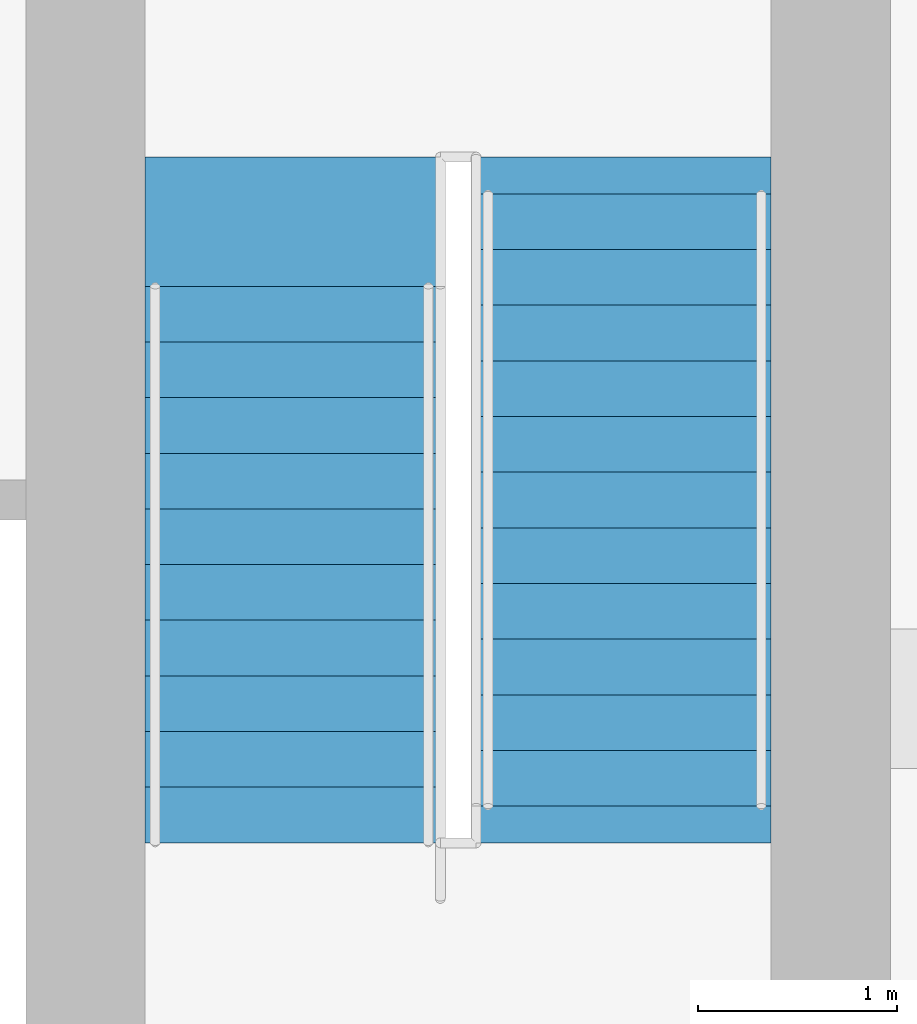
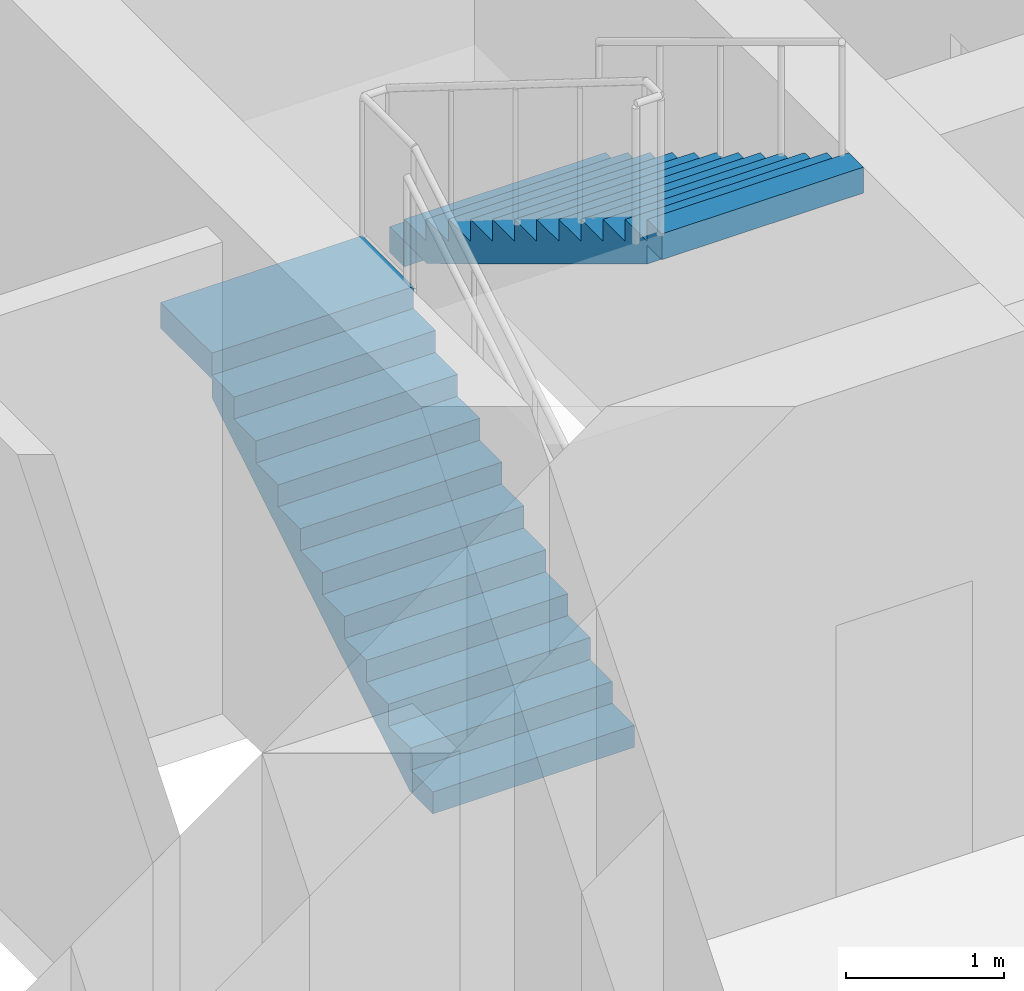
# One storey, part 6 of 7: 2 stair flights, 1 element without a shape of its own.
"""IFC4 building model written with IfcOpenShell, lengths in metres."""

from ifc_helpers import new_model, si_unit, direction, frame, origin, place, context, subcontext, project, spatial, polyline, outline, extrude, material, type_object, element, aggregate, save


model = new_model("IFC4")

# Units and contexts
model_context = context("Model", 3, precision=1e-05, world=origin(), true_north=direction((0.0, 1.0)))
body_context = subcontext(model_context, "Body", "Model", "MODEL_VIEW")
ifc_project = project(units=[si_unit("LENGTHUNIT", "METRE"), si_unit("AREAUNIT", "SQUARE_METRE"), si_unit("VOLUMEUNIT", "CUBIC_METRE"), si_unit("PLANEANGLEUNIT", "RADIAN"), si_unit("MASSUNIT", "GRAM", prefix="KILO")], contexts=[model_context])

# Site, building, storey
site_placement = place(None, origin())
site = spatial("IfcSite", under=ifc_project, at=site_placement, CompositionType="ELEMENT")
building_placement = place(site_placement, origin())
building = spatial("IfcBuilding", under=site, at=building_placement, Name="Kilele Tower Hotel", CompositionType="ELEMENT")
storey_placement = place(building_placement, frame((0.0, 0.0, 258.5)))
storey = spatial("IfcBuildingStorey", under=building, at=storey_placement, Name="L66", CompositionType="ELEMENT", Elevation=258.5)

# Stair, stair flights
ifc_material_1 = material(Name="Precast concrete C40/50", Category="concrete")
stair_type = type_object("IfcStairType", Name="Stair 1475 x 3900", PredefinedType="HALF_TURN_STAIR", material=ifc_material_1)
stair_placement = place(storey_placement, origin())
stair = element("IfcStair", 1, at=stair_placement, inside=storey, type_object=stair_type, Name="Stair 2 L66", PredefinedType="HALF_TURN_STAIR")
ifc_material_2 = material(Name="Precast concrete C40/50", Category="concrete")
stair_flight_type = type_object("IfcStairFlightType", Name="Flight 1475 riser 169.6", PredefinedType="STRAIGHT", material=ifc_material_2)
stair_flight_1_placement = place(storey_placement, frame((33.28759765625, 21.77490234375, 0.0), z_axis=(0.0, 0.0, 1.0), x_axis=(0.0, 1.0, 0.0)))
stair_flight_1 = element("IfcStairFlight", 2, at=stair_flight_1_placement, type_object=stair_flight_type, Name="ST2 flight 1", NumberOfRisers=11, NumberOfTreads=10, PredefinedType="STRAIGHT", RiserHeight=0.169565217, TreadLength=0.28, context=body_context, shape_type="SweptSolid", body=[
    extrude(outline(polyline([(0.0, 0.0), (0.0, 0.169677734375), (0.280029296875, 0.169677734375), (0.280029296875, 0.339111328125), (0.56005859375, 0.339111328125), (0.56005859375, 0.5087890625), (0.840087890625, 0.5087890625), (0.840087890625, 0.67822265625), (1.1201171875, 0.67822265625), (1.1201171875, 0.847900390625), (1.39990234375, 0.847900390625), (1.39990234375, 1.017333984375), (1.679931640625, 1.017333984375), (1.679931640625, 1.18701171875), (1.9599609375, 1.18701171875), (1.9599609375, 1.3564453125), (2.239990234375, 1.3564453125), (2.239990234375, 1.526123046875), (2.52001953125, 1.526123046875), (2.52001953125, 1.695556640625), (2.800048828125, 1.695556640625), (2.800048828125, 1.865234375), (2.800048828125, 1.5205078125), (0.289306640625, 0.0), (0.0, 0.0)])), frame((0.0, 0.737548828125, 0.0), z_axis=(0.0, -1.0, 0.0), x_axis=(1.0, 0.0, 0.0)), (0.0, 0.0, 1.0), 1.47509765625),
    extrude(outline(polyline([(2.800048828125, 0.737548828125), (2.800048828125, -0.7373046875), (3.4501953125, -0.7373046875), (3.4501953125, 0.737548828125), (2.800048828125, 0.737548828125)])), frame((0.0, 0.0, 1.665283203125)), (0.0, 0.0, 1.0), 0.199951171875),
])
stair_flight_2_placement = place(storey_placement, frame((34.96240234375, 25.0400390625, 1.865234375), z_axis=(0.0, 0.0, 1.0), x_axis=(0.0, -1.0, 0.0)))
stair_flight_2 = element("IfcStairFlight", 3, at=stair_flight_2_placement, type_object=stair_flight_type, Name="ST2 flight 2", NumberOfRisers=12, NumberOfTreads=11, PredefinedType="STRAIGHT", RiserHeight=0.169565217, TreadLength=0.28, context=body_context, shape_type="SweptSolid", body=[
    extrude(outline(polyline([(0.0, 0.0), (0.0, 0.169677734375), (0.280029296875, 0.169677734375), (0.280029296875, 0.339111328125), (0.56005859375, 0.339111328125), (0.56005859375, 0.5087890625), (0.840087890625, 0.5087890625), (0.840087890625, 0.67822265625), (1.1201171875, 0.67822265625), (1.1201171875, 0.847900390625), (1.39990234375, 0.847900390625), (1.39990234375, 1.017333984375), (1.679931640625, 1.017333984375), (1.679931640625, 1.18701171875), (1.9599609375, 1.18701171875), (1.9599609375, 1.3564453125), (2.239990234375, 1.3564453125), (2.239990234375, 1.526123046875), (2.52001953125, 1.526123046875), (2.52001953125, 1.695556640625), (2.800048828125, 1.695556640625), (2.800048828125, 1.865234375), (3.080078125, 1.865234375), (3.080078125, 2.03466796875), (3.080078125, 1.68994140625), (0.289306640625, 0.0), (0.0, 0.0)])), frame((0.0, 0.737548828125, 0.0), z_axis=(0.0, -1.0, 0.0), x_axis=(1.0, 0.0, 0.0)), (0.0, 0.0, 1.0), 1.47509765625),
    extrude(outline(polyline([(0.0, -0.7373046875), (0.0, 0.737548828125), (-0.18505859375, 0.737548828125), (-0.18505859375, -0.7373046875), (0.0, -0.7373046875)])), frame((0.0, 0.0, -0.199951171875)), (0.0, 0.0, 1.0), 0.199951171875),
    extrude(outline(polyline([(3.26513671875, -0.7373046875), (3.26513671875, 0.737548828125), (3.080078125, 0.737548828125), (3.080078125, -0.7373046875), (3.26513671875, -0.7373046875)])), frame((0.0, 0.0, 1.834716796875)), (0.0, 0.0, 1.0), 0.199951171875),
])
aggregate(stair, [stair_flight_1, stair_flight_2])

save(model, "model.ifc")
